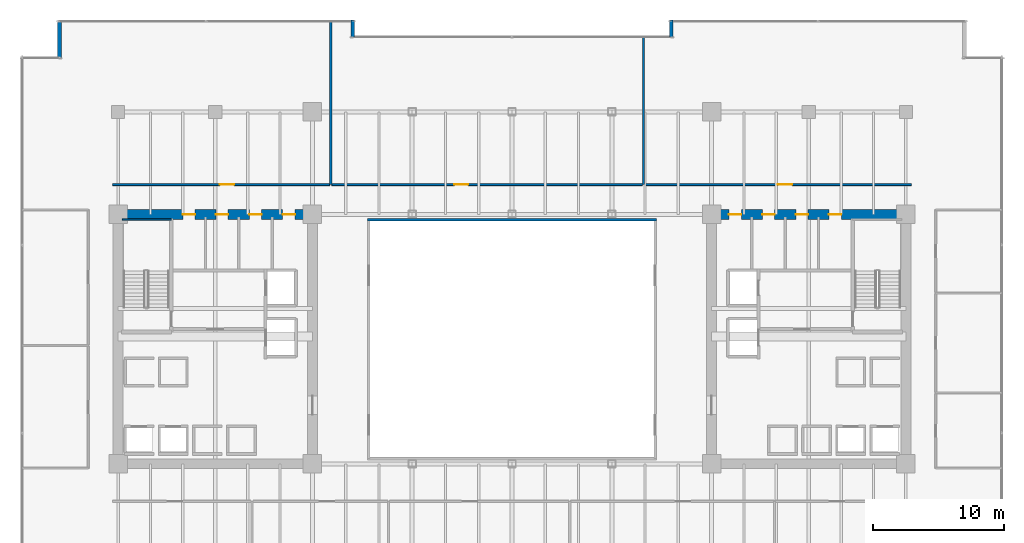
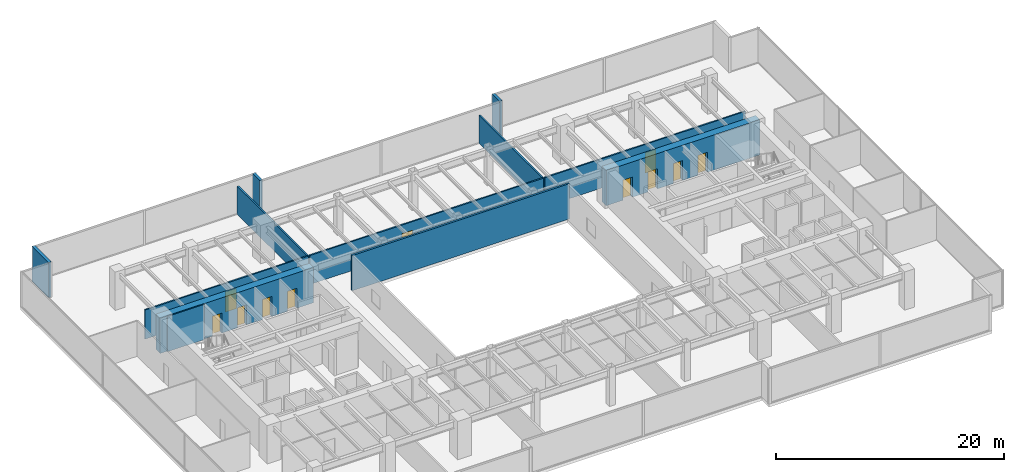
# One storey, part 31 of 35: 12 walls, 11 doors, 11 openings.
"""IFC4 building model written with IfcOpenShell, lengths in metres."""

from ifc_helpers import new_model, si_unit, direction, frame, frame_2d, origin, place, context, subcontext, project, spatial, rectangle, extrude, source, transform, mapped, material, layer, layer_set, type_object, type_shapes, element, fill, save


model = new_model("IFC4")

# Units and contexts
model_context = context("Model", 3, precision=1e-05, world=origin(), true_north=direction((0.0, 1.0)))
body_context = subcontext(model_context, "Body", "Model", "MODEL_VIEW")
ifc_project = project(units=[si_unit("LENGTHUNIT", "METRE"), si_unit("AREAUNIT", "SQUARE_METRE"), si_unit("VOLUMEUNIT", "CUBIC_METRE"), si_unit("PLANEANGLEUNIT", "RADIAN"), si_unit("MASSUNIT", "GRAM", prefix="KILO")], contexts=[model_context])

# Site, building, storey
site_placement = place(None, origin())
site = spatial("IfcSite", under=ifc_project, at=site_placement, CompositionType="ELEMENT")
building_placement = place(site_placement, origin())
building = spatial("IfcBuilding", under=site, at=building_placement, Name="Haelvirn Gate Laboratories", CompositionType="ELEMENT")
storey_placement = place(building_placement, frame((0.0, 0.0, 82.60009765625)))
storey = spatial("IfcBuildingStorey", under=building, at=storey_placement, Name="L20", CompositionType="ELEMENT", Elevation=82.60009765625)

# Walls
ifc_material_1 = material(Name="Thermally-broken bronze aluminium rainscreen & mineral wool", Category="aluminium")
ifc_layer_1 = layer(ifc_material_1, 0.280029296875, Name="EW-TERR-280")
ifc_layer_set_1 = layer_set([ifc_layer_1], Name="Thermally-broken bronze aluminium rainscreen & mineral wool")
wall_type_1 = type_object("IfcWallType", Name="EW-TERR-280", PredefinedType="STANDARD", material=ifc_layer_set_1)
for number, where, z_axis, x_axis, name in (
    (1, (49.5400390625, 48.60009765625, 0.0), (0.0, 0.0, 1.0), (0.0, -1.0, 0.0), "L20 Atrium Recess Bronze Return Wall 11"),
    (2, (25.260009765625, 47.31201171875, 0.0), (0.0, 0.0, 1.0), (0.0, 1.0, 0.0), "L20 Atrium Recess Bronze Return Wall 13"),
):
    element("IfcWall", number, at=place(storey_placement, frame(where, z_axis=z_axis, x_axis=x_axis)), inside=storey, type_object=wall_type_1, Name=name, PredefinedType="STANDARD", context=body_context, shape_type="SweptSolid", body=[
        extrude(rectangle(XDim=1.2880859375, YDim=0.280029296875, at=frame_2d((0.64404296875, 0.0))), origin(), (0.0, 0.0, 1.0), 3.77978515625),
    ])
wall_1_placement = place(storey_placement, frame((2.93994140625, 48.60009765625, 0.0), z_axis=(0.0, 0.0, 1.0), x_axis=(0.0, -1.0, 0.0)))
element("IfcWall", 3, at=wall_1_placement, inside=storey, type_object=wall_type_1, Name="L20 Atrium Recess Bronze Return Wall 15", PredefinedType="STANDARD", context=body_context, shape_type="SweptSolid", body=[
    extrude(rectangle(XDim=2.88818359375, YDim=0.280029296875, at=frame_2d((1.444091796875, 0.0))), origin(), (0.0, 0.0, 1.0), 3.77978515625),
])
ifc_material_2 = material(Name="Double-layer acoustic gypsum laboratory partition", Category="gypsum")
ifc_layer_2 = layer(ifc_material_2, 0.159912109375, Name="IW-ACOUST-160")
ifc_layer_set_2 = layer_set([ifc_layer_2], Name="Double-layer acoustic gypsum laboratory partition")
wall_type_2 = type_object("IfcWallType", Name="IW-ACOUST-160", PredefinedType="PARTITIONING", material=ifc_layer_set_2)
wall_2_placement = place(storey_placement, frame((23.60009765625, 36.06005859375, 0.0), z_axis=(0.0, 0.0, 1.0), x_axis=(0.0, 1.0, 0.0)))
element("IfcWall", 4, at=wall_2_placement, inside=storey, type_object=wall_type_2, Name="L20 Interior Wall IW-L20-NDIV-01", PredefinedType="PARTITIONING", context=body_context, shape_type="SweptSolid", body=[
    extrude(rectangle(XDim=12.429931640625, YDim=0.159912109375, at=frame_2d((6.21484375, 0.0))), origin(), (0.0, 0.0, 1.0), 3.014892578125),
])
wall_3_placement = place(storey_placement, frame((47.39990234375, 36.06005859375, 0.0), z_axis=(0.0, 0.0, 1.0), x_axis=(0.0, 1.0, 0.0)))
element("IfcWall", 5, at=wall_3_placement, inside=storey, type_object=wall_type_2, Name="L20 Interior Wall IW-L20-NDIV-02", PredefinedType="PARTITIONING", context=body_context, shape_type="SweptSolid", body=[
    extrude(rectangle(XDim=11.22998046875, YDim=0.159912109375, at=frame_2d((5.614990234375, 0.0))), origin(), (0.0, 0.0, 1.0), 3.014892578125),
])
ifc_material_3 = material(Name="Tempered fire-rated borosilicate glass & anodised aluminium", Category="aluminium")
ifc_layer_3 = layer(ifc_material_3, 0.195068359375, Name="IW-GLAZ-200")
ifc_layer_set_3 = layer_set([ifc_layer_3], Name="Tempered fire-rated borosilicate glass & anodised aluminium")
wall_type_3 = type_object("IfcWallType", Name="IW-GLAZ-200", PredefinedType="SOLIDWALL", material=ifc_layer_set_3)
wall_4_placement = place(storey_placement, frame((26.39990234375, 33.39990234375, 0.0), z_axis=(0.0, 0.0, 1.0), x_axis=(1.0, 0.0, 0.0)))
element("IfcWall", 6, at=wall_4_placement, inside=storey, type_object=wall_type_3, Name="L20 Interior Wall IW-L20-ATRIUM-N", PredefinedType="SOLIDWALL", context=body_context, shape_type="SweptSolid", body=[
    extrude(rectangle(XDim=22.0, YDim=0.195068359375, at=frame_2d((11.0, 0.0))), origin(), (0.0, 0.0, 1.0), 3.77978515625),
])

# Wall, opening, door
ifc_material_4 = material(Name="Acoustic mineral-wool gypsum board partition", Category="gypsum")
ifc_layer_4 = layer(ifc_material_4, 0.139892578125, Name="IW-PART-140")
ifc_layer_set_4 = layer_set([ifc_layer_4], Name="Acoustic mineral-wool gypsum board partition")
wall_type_4 = type_object("IfcWallType", Name="IW-PART-140", PredefinedType="PARTITIONING", material=ifc_layer_set_4)
wall_5_placement = place(storey_placement, frame((6.97998046875, 36.06005859375, 0.0), z_axis=(0.0, 0.0, 1.0), x_axis=(1.0, 0.0, 0.0)))
wall_5 = element("IfcWall", 7, at=wall_5_placement, inside=storey, type_object=wall_type_4, Name="L20 Interior Wall IW-L20-NCORR-01", PredefinedType="PARTITIONING", context=body_context, shape_type="SweptSolid", body=[
    extrude(rectangle(XDim=16.5400390625, YDim=0.139892578125, at=frame_2d((8.27001953125, 0.0))), origin(), (0.0, 0.0, 1.0), 3.114990234375),
])
opening_1_placement = place(wall_5_placement, frame((8.162109375, 0.0, 0.0)))
opening_1 = element("IfcOpeningElement", 8, at=opening_1_placement, cuts=wall_5, Name="Opening D1", PredefinedType="OPENING", context=body_context, shape_type="SweptSolid", body=[
    extrude(rectangle(XDim=1.10009765625, YDim=2.179931640625, at=frame_2d((0.550048828125, 1.08984375))), frame((0.0, 0.080078125, 0.0), z_axis=(0.0, -1.0, 0.0), x_axis=(1.0, 0.0, 0.0)), (0.0, 0.0, 1.0), 0.159912109375),
])
ifc_material_5 = material(Name="Vision-panel acoustic solid-core timber lab door", Category="wood")
door_type_1 = type_object("IfcDoorType", Name="DR-LAB-1100", OperationType="NOTDEFINED", PredefinedType="DOOR", material=ifc_material_5)
shared_shape_1 = source(origin(), body_context, "Body", "SweptSolid", [
    extrude(rectangle(XDim=1.10009765625, YDim=2.179931640625, at=frame_2d((0.550048828125, 1.08984375))), frame((0.0, 0.02490234375, 0.0), z_axis=(0.0, -1.0, 0.0), x_axis=(1.0, 0.0, 0.0)), (0.0, 0.0, 1.0), 0.050048828125),
])
type_shapes(door_type_1, [shared_shape_1])
door_1_placement = place(opening_1_placement, origin())
door_1 = element("IfcDoor", 9, at=door_1_placement, inside=storey, type_object=door_type_1, Name="L20 Peer-Review Seminar Room Door N1", OperationType="SINGLE_SWING_RIGHT", OverallHeight=2.179931640625, OverallWidth=1.10009765625, PredefinedType="DOOR", context=body_context, shape_type="MappedRepresentation", body=[
    mapped(shared_shape_1, transform((0.0, 0.0, 0.0), scale=1.0)),
])
fill(opening_1, door_1)

wall_6_placement = place(storey_placement, frame((23.679931640625, 36.06005859375, 0.0), z_axis=(0.0, 0.0, 1.0), x_axis=(1.0, 0.0, 0.0)))
wall_6 = element("IfcWall", 10, at=wall_6_placement, inside=storey, type_object=wall_type_4, Name="L20 Interior Wall IW-L20-NCORR-02", PredefinedType="PARTITIONING", context=body_context, shape_type="SweptSolid", body=[
    extrude(rectangle(XDim=23.64013671875, YDim=0.139892578125, at=frame_2d((11.820068359375, 0.0))), origin(), (0.0, 0.0, 1.0), 3.114990234375),
])
opening_2_placement = place(wall_6_placement, frame((9.304443359375, 0.0, 0.0)))
opening_2 = element("IfcOpeningElement", 11, at=opening_2_placement, cuts=wall_6, Name="Opening D1", PredefinedType="OPENING", context=body_context, shape_type="SweptSolid", body=[
    extrude(rectangle(XDim=1.10009765625, YDim=2.179931640625, at=frame_2d((0.550048828125, 1.08984375))), frame((0.0, 0.080078125, 0.0), z_axis=(0.0, -1.0, 0.0), x_axis=(1.0, 0.0, 0.0)), (0.0, 0.0, 1.0), 0.159912109375),
])
door_2_placement = place(opening_2_placement, origin())
door_2 = element("IfcDoor", 12, at=door_2_placement, inside=storey, type_object=door_type_1, Name="L20 Researcher Break Pantry Door N2", OperationType="SINGLE_SWING_LEFT", OverallHeight=2.179931640625, OverallWidth=1.10009765625, PredefinedType="DOOR", context=body_context, shape_type="MappedRepresentation", body=[
    mapped(shared_shape_1, transform((0.0, 0.0, 0.0), scale=1.0)),
])
fill(opening_2, door_2)

wall_7_placement = place(storey_placement, frame((47.47998046875, 36.06005859375, 0.0), z_axis=(0.0, 0.0, 1.0), x_axis=(1.0, 0.0, 0.0)))
wall_7 = element("IfcWall", 13, at=wall_7_placement, inside=storey, type_object=wall_type_4, Name="L20 Interior Wall IW-L20-NCORR-03", PredefinedType="PARTITIONING", context=body_context, shape_type="SweptSolid", body=[
    extrude(rectangle(XDim=20.340087890625, YDim=0.139892578125, at=frame_2d((10.169921875, 0.0))), origin(), (0.0, 0.0, 1.0), 3.114990234375),
])
opening_3_placement = place(wall_7_placement, frame((10.17626953125, 0.0, 0.0)))
opening_3 = element("IfcOpeningElement", 14, at=opening_3_placement, cuts=wall_7, Name="Opening D1", PredefinedType="OPENING", context=body_context, shape_type="SweptSolid", body=[
    extrude(rectangle(XDim=1.10009765625, YDim=2.179931640625, at=frame_2d((0.550048828125, 1.08984375))), frame((0.0, 0.080078125, 0.0), z_axis=(0.0, -1.0, 0.0), x_axis=(1.0, 0.0, 0.0)), (0.0, 0.0, 1.0), 0.159912109375),
])
door_3_placement = place(opening_3_placement, origin())
door_3 = element("IfcDoor", 15, at=door_3_placement, inside=storey, type_object=door_type_1, Name="L20 Floor Hydration & Tea Servery Door N3", OperationType="SINGLE_SWING_RIGHT", OverallHeight=2.179931640625, OverallWidth=1.10009765625, PredefinedType="DOOR", context=body_context, shape_type="MappedRepresentation", body=[
    mapped(shared_shape_1, transform((0.0, 0.0, 0.0), scale=1.0)),
])
fill(opening_3, door_3)

# Wall, openings, doors
ifc_material_6 = material(Name="Concrete C70/85", Category="concrete")
ifc_layer_5 = layer(ifc_material_6, 0.75, Name="SW-CORE-750")
ifc_layer_set_5 = layer_set([ifc_layer_5], Name="Concrete C70/85")
wall_type_5 = type_object("IfcWallType", Name="SW-CORE-750", PredefinedType="SHEAR", material=ifc_layer_set_5)
wall_8_placement = place(storey_placement, frame((7.02490234375, 33.800048828125, 0.0), z_axis=(0.0, 0.0, 1.0), x_axis=(1.0, 0.0, 0.0)))
wall_8 = element("IfcWall", 16, at=wall_8_placement, inside=storey, type_object=wall_type_5, Name="L20 W Core Shear Wall N", PredefinedType="SHEAR", context=body_context, shape_type="SweptSolid", body=[
    extrude(rectangle(XDim=15.550048828125, YDim=0.75, at=frame_2d((7.77490234375, 0.0))), origin(), (0.0, 0.0, 1.0), 3.77978515625),
])
opening_4_placement = place(wall_8_placement, frame((5.300048828125, 0.0, 0.0)))
opening_4 = element("IfcOpeningElement", 17, at=opening_4_placement, cuts=wall_8, Name="Opening FD4", PredefinedType="OPENING", context=body_context, shape_type="SweptSolid", body=[
    extrude(rectangle(XDim=0.949951171875, YDim=2.14990234375, at=frame_2d((0.47509765625, 1.074951171875))), frame((0.0, 0.385009765625, 0.0), z_axis=(0.0, -1.0, 0.0), x_axis=(1.0, 0.0, 0.0)), (0.0, 0.0, 1.0), 0.77001953125),
])
opening_5_placement = place(wall_8_placement, frame((7.81494140625, 0.0, 0.0)))
opening_5 = element("IfcOpeningElement", 18, at=opening_5_placement, cuts=wall_8, Name="Opening FD4", PredefinedType="OPENING", context=body_context, shape_type="SweptSolid", body=[
    extrude(rectangle(XDim=0.949951171875, YDim=2.14990234375, at=frame_2d((0.47509765625, 1.074951171875))), frame((0.0, 0.385009765625, 0.0), z_axis=(0.0, -1.0, 0.0), x_axis=(1.0, 0.0, 0.0)), (0.0, 0.0, 1.0), 0.77001953125),
])
opening_6_placement = place(wall_8_placement, frame((10.364990234375, 0.0, 0.0)))
opening_6 = element("IfcOpeningElement", 19, at=opening_6_placement, cuts=wall_8, Name="Opening FD4", PredefinedType="OPENING", context=body_context, shape_type="SweptSolid", body=[
    extrude(rectangle(XDim=0.949951171875, YDim=2.14990234375, at=frame_2d((0.47509765625, 1.074951171875))), frame((0.0, 0.385009765625, 0.0), z_axis=(0.0, -1.0, 0.0), x_axis=(1.0, 0.0, 0.0)), (0.0, 0.0, 1.0), 0.77001953125),
])
opening_7_placement = place(wall_8_placement, frame((12.9150390625, 0.0, 0.0)))
opening_7 = element("IfcOpeningElement", 20, at=opening_7_placement, cuts=wall_8, Name="Opening FD4", PredefinedType="OPENING", context=body_context, shape_type="SweptSolid", body=[
    extrude(rectangle(XDim=0.949951171875, YDim=2.14990234375, at=frame_2d((0.47509765625, 1.074951171875))), frame((0.0, 0.385009765625, 0.0), z_axis=(0.0, -1.0, 0.0), x_axis=(1.0, 0.0, 0.0)), (0.0, 0.0, 1.0), 0.77001953125),
])
ifc_material_7 = material(Name="Fire-rated steel SM355 core service door", Category="steel")
door_type_2 = type_object("IfcDoorType", Name="DR-FD-950", OperationType="NOTDEFINED", PredefinedType="DOOR", material=ifc_material_7)
shared_shape_2 = source(origin(), body_context, "Body", "SweptSolid", [
    extrude(rectangle(XDim=0.949951171875, YDim=2.14990234375, at=frame_2d((0.47509765625, 1.074951171875))), frame((0.0, 0.02490234375, 0.0), z_axis=(0.0, -1.0, 0.0), x_axis=(1.0, 0.0, 0.0)), (0.0, 0.0, 1.0), 0.050048828125),
])
type_shapes(door_type_2, [shared_shape_2])
door_4_placement = place(opening_4_placement, origin())
door_4 = element("IfcDoor", 21, at=door_4_placement, inside=storey, type_object=door_type_2, Name="L20 Male Restroom Fire Door", OperationType="SINGLE_SWING_LEFT", OverallHeight=2.14990234375, OverallWidth=0.949951171875, PredefinedType="DOOR", context=body_context, shape_type="MappedRepresentation", body=[
    mapped(shared_shape_2, transform((0.0, 0.0, 0.0), scale=1.0)),
])
fill(opening_4, door_4)
door_5_placement = place(opening_5_placement, origin())
door_5 = element("IfcDoor", 22, at=door_5_placement, inside=storey, type_object=door_type_2, Name="L20 Female Restroom Fire Door", OperationType="SINGLE_SWING_RIGHT", OverallHeight=2.14990234375, OverallWidth=0.949951171875, PredefinedType="DOOR", context=body_context, shape_type="MappedRepresentation", body=[
    mapped(shared_shape_2, transform((0.0, 0.0, 0.0), scale=1.0)),
])
fill(opening_5, door_5)
door_6_placement = place(opening_6_placement, origin())
door_6 = element("IfcDoor", 23, at=door_6_placement, inside=storey, type_object=door_type_2, Name="L20 Accessible Restroom Fire Door", OperationType="SINGLE_SWING_LEFT", OverallHeight=2.14990234375, OverallWidth=0.949951171875, PredefinedType="DOOR", context=body_context, shape_type="MappedRepresentation", body=[
    mapped(shared_shape_2, transform((0.0, 0.0, 0.0), scale=1.0)),
])
fill(opening_6, door_6)
door_7_placement = place(opening_7_placement, origin())
door_7 = element("IfcDoor", 24, at=door_7_placement, inside=storey, type_object=door_type_2, Name="L20 Decontamination Shower Washroom Fire Door", OperationType="SINGLE_SWING_RIGHT", OverallHeight=2.14990234375, OverallWidth=0.949951171875, PredefinedType="DOOR", context=body_context, shape_type="MappedRepresentation", body=[
    mapped(shared_shape_2, transform((0.0, 0.0, 0.0), scale=1.0)),
])
fill(opening_7, door_7)

wall_9_placement = place(storey_placement, frame((52.22509765625, 33.800048828125, 0.0), z_axis=(0.0, 0.0, 1.0), x_axis=(1.0, 0.0, 0.0)))
wall_9 = element("IfcWall", 25, at=wall_9_placement, inside=storey, type_object=wall_type_5, Name="L20 E Core Shear Wall N", PredefinedType="SHEAR", context=body_context, shape_type="SweptSolid", body=[
    extrude(rectangle(XDim=15.5498046875, YDim=0.75, at=frame_2d((7.77490234375, 0.0))), origin(), (0.0, 0.0, 1.0), 3.77978515625),
])
opening_8_placement = place(wall_9_placement, frame((9.300048828125, 0.0, 0.0)))
opening_8 = element("IfcOpeningElement", 26, at=opening_8_placement, cuts=wall_9, Name="Opening FD4", PredefinedType="OPENING", context=body_context, shape_type="SweptSolid", body=[
    extrude(rectangle(XDim=0.949951171875, YDim=2.14990234375, at=frame_2d((0.47509765625, 1.074951171875))), frame((0.0, 0.385009765625, 0.0), z_axis=(0.0, -1.0, 0.0), x_axis=(1.0, 0.0, 0.0)), (0.0, 0.0, 1.0), 0.77001953125),
])
opening_9_placement = place(wall_9_placement, frame((6.784912109375, 0.0, 0.0)))
opening_9 = element("IfcOpeningElement", 27, at=opening_9_placement, cuts=wall_9, Name="Opening FD4", PredefinedType="OPENING", context=body_context, shape_type="SweptSolid", body=[
    extrude(rectangle(XDim=0.949951171875, YDim=2.14990234375, at=frame_2d((0.47509765625, 1.074951171875))), frame((0.0, 0.385009765625, 0.0), z_axis=(0.0, -1.0, 0.0), x_axis=(1.0, 0.0, 0.0)), (0.0, 0.0, 1.0), 0.77001953125),
])
opening_10_placement = place(wall_9_placement, frame((4.235107421875, 0.0, 0.0)))
opening_10 = element("IfcOpeningElement", 28, at=opening_10_placement, cuts=wall_9, Name="Opening FD4", PredefinedType="OPENING", context=body_context, shape_type="SweptSolid", body=[
    extrude(rectangle(XDim=0.949951171875, YDim=2.14990234375, at=frame_2d((0.47509765625, 1.074951171875))), frame((0.0, 0.385009765625, 0.0), z_axis=(0.0, -1.0, 0.0), x_axis=(1.0, 0.0, 0.0)), (0.0, 0.0, 1.0), 0.77001953125),
])
opening_11_placement = place(wall_9_placement, frame((1.68505859375, 0.0, 0.0)))
opening_11 = element("IfcOpeningElement", 29, at=opening_11_placement, cuts=wall_9, Name="Opening FD4", PredefinedType="OPENING", context=body_context, shape_type="SweptSolid", body=[
    extrude(rectangle(XDim=0.949951171875, YDim=2.14990234375, at=frame_2d((0.47509765625, 1.074951171875))), frame((0.0, 0.385009765625, 0.0), z_axis=(0.0, -1.0, 0.0), x_axis=(1.0, 0.0, 0.0)), (0.0, 0.0, 1.0), 0.77001953125),
])
door_8_placement = place(opening_8_placement, origin())
door_8 = element("IfcDoor", 30, at=door_8_placement, inside=storey, type_object=door_type_2, Name="L20 Male Restroom Fire Door", OperationType="SINGLE_SWING_LEFT", OverallHeight=2.14990234375, OverallWidth=0.949951171875, PredefinedType="DOOR", context=body_context, shape_type="MappedRepresentation", body=[
    mapped(shared_shape_2, transform((0.0, 0.0, 0.0), scale=1.0)),
])
fill(opening_8, door_8)
door_9_placement = place(opening_9_placement, origin())
door_9 = element("IfcDoor", 31, at=door_9_placement, inside=storey, type_object=door_type_2, Name="L20 Female Restroom Fire Door", OperationType="SINGLE_SWING_RIGHT", OverallHeight=2.14990234375, OverallWidth=0.949951171875, PredefinedType="DOOR", context=body_context, shape_type="MappedRepresentation", body=[
    mapped(shared_shape_2, transform((0.0, 0.0, 0.0), scale=1.0)),
])
fill(opening_9, door_9)
door_10_placement = place(opening_10_placement, origin())
door_10 = element("IfcDoor", 32, at=door_10_placement, inside=storey, type_object=door_type_2, Name="L20 Accessible Restroom Fire Door", OperationType="SINGLE_SWING_LEFT", OverallHeight=2.14990234375, OverallWidth=0.949951171875, PredefinedType="DOOR", context=body_context, shape_type="MappedRepresentation", body=[
    mapped(shared_shape_2, transform((0.0, 0.0, 0.0), scale=1.0)),
])
fill(opening_10, door_10)
door_11_placement = place(opening_11_placement, origin())
door_11 = element("IfcDoor", 33, at=door_11_placement, inside=storey, type_object=door_type_2, Name="L20 Decontamination Shower Washroom Fire Door", OperationType="SINGLE_SWING_RIGHT", OverallHeight=2.14990234375, OverallWidth=0.949951171875, PredefinedType="DOOR", context=body_context, shape_type="MappedRepresentation", body=[
    mapped(shared_shape_2, transform((0.0, 0.0, 0.0), scale=1.0)),
])
fill(opening_11, door_11)

# Wall
ifc_material_8 = material(Name="Concrete C50/60", Category="concrete")
ifc_layer_6 = layer(ifc_material_8, 0.1201171875, Name="SW-LINER-120")
ifc_layer_set_6 = layer_set([ifc_layer_6], Name="Concrete C50/60")
wall_type_6 = type_object("IfcWallType", Name="SW-LINER-120", PredefinedType="SOLIDWALL", material=ifc_layer_set_6)
wall_10_placement = place(storey_placement, frame((7.72998046875, 33.39990234375, 0.0), z_axis=(0.0, 0.0, 1.0), x_axis=(1.0, 0.0, 0.0)))
element("IfcWall", 34, at=wall_10_placement, inside=storey, type_object=wall_type_6, Name="L20 W Core Stair Shaft Liner Wall N", PredefinedType="SOLIDWALL", context=body_context, shape_type="SweptSolid", body=[
    extrude(rectangle(XDim=3.719970703125, YDim=0.1201171875, at=frame_2d((1.85986328125, 0.0))), origin(), (0.0, 0.0, 1.0), 3.77978515625),
])

save(model, "model.ifc")
